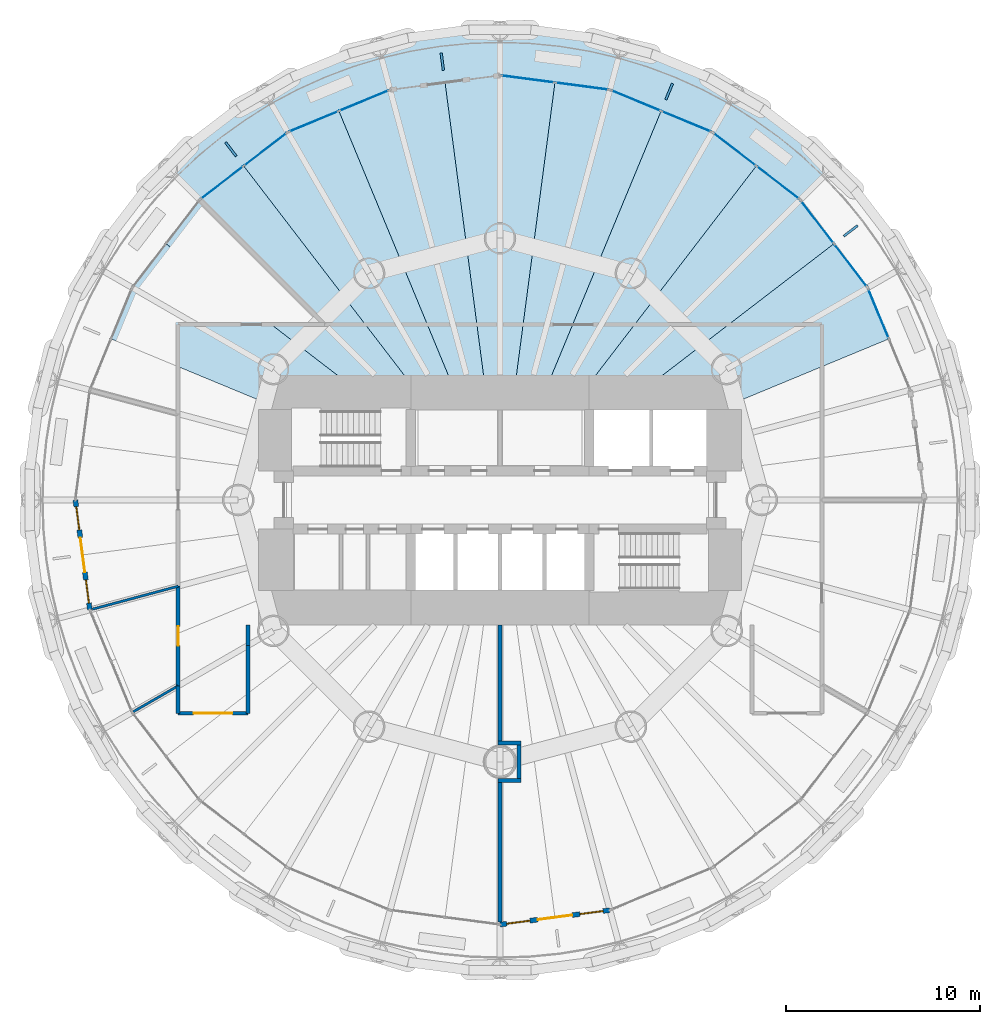
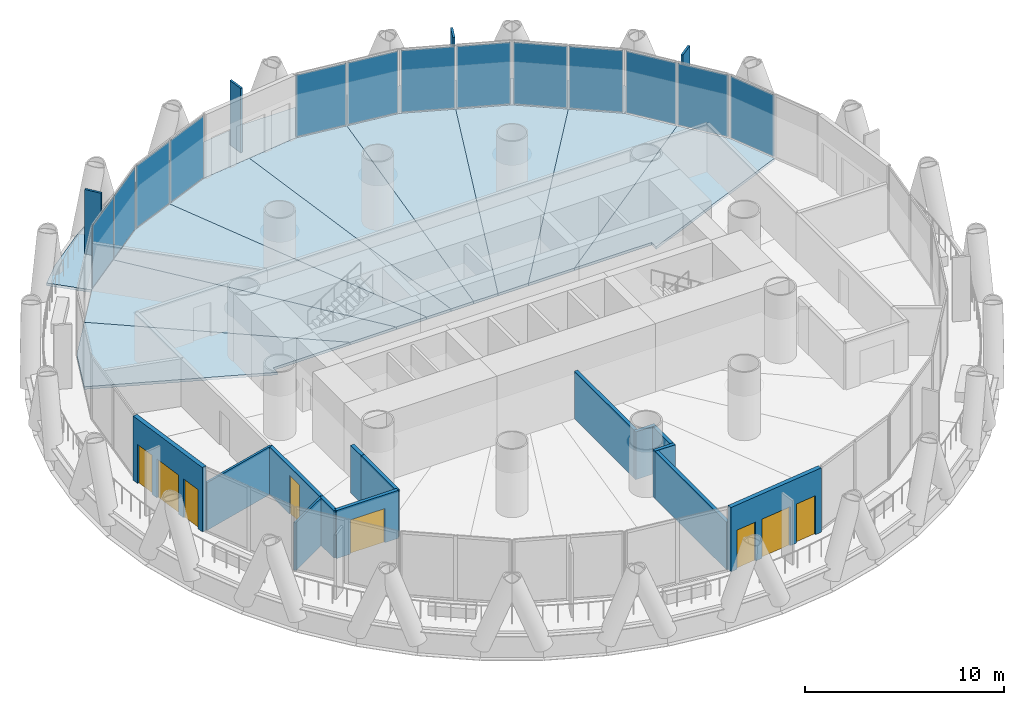
# One storey, part 9 of 15: 17 plates, 14 walls, 10 slabs, 4 doors, 4 windows, 8 openings, 7 elements without a shape of their own.
"""IFC4 building model written with IfcOpenShell, lengths in metres."""

from ifc_helpers import new_model, si_unit, direction, frame, frame_2d, origin, origin_2d, place, context, subcontext, project, spatial, polyline, rectangle, outline, extrude, material, layer, layer_set, type_object, element, fill, aggregate, save


model = new_model("IFC4")

# Units and contexts
model_context = context("Model", 3, precision=1e-05, world=origin(), true_north=direction((0.0, 1.0)))
body_context = subcontext(model_context, "Body", "Model", "MODEL_VIEW")
ifc_project = project(units=[si_unit("LENGTHUNIT", "METRE"), si_unit("AREAUNIT", "SQUARE_METRE"), si_unit("VOLUMEUNIT", "CUBIC_METRE"), si_unit("PLANEANGLEUNIT", "RADIAN"), si_unit("MASSUNIT", "GRAM", prefix="KILO")], contexts=[model_context])

# Site, building, storey
site_placement = place(None, origin())
site = spatial("IfcSite", under=ifc_project, at=site_placement, CompositionType="ELEMENT")
building_placement = place(site_placement, origin())
building = spatial("IfcBuilding", under=site, at=building_placement, Name="Qaws Media Tower", CompositionType="ELEMENT")
storey_placement = place(building_placement, frame((0.0, 0.0, 189.800048828125)))
storey = spatial("IfcBuildingStorey", under=building, at=storey_placement, Name="L43", CompositionType="ELEMENT", Elevation=189.800048828125)

# Slabs
ifc_material_1 = material(Name="Concrete C35/45", Category="concrete")
ifc_layer_1 = layer(ifc_material_1, 0.159912109375)
ifc_layer_set_1 = layer_set([ifc_layer_1], Name="Composite balcony slab 160")
slab_type_1 = type_object("IfcSlabType", Name="Composite balcony slab 160", PredefinedType="FLOOR", material=ifc_layer_set_1)
slab_1_placement = place(storey_placement, frame((0.0, 0.0, -0.16015625)))
element("IfcSlab", 1, at=slab_1_placement, inside=storey, type_object=slab_type_1, Name="S2 balcony slab L43 R04 to R10, movement joints on R04 and R10", PredefinedType="FLOOR", context=body_context, shape_type="SweptSolid", body=[
    extrude(outline(polyline([(43.977783203125, 68.269775390625), (46.49951171875, 70.20458984375), (49.25244140625, 71.7939453125), (52.18896484375, 73.010498046875), (55.25927734375, 73.8330078125), (58.41064453125, 74.248046875), (61.58935546875, 74.248046875), (64.74072265625, 73.8330078125), (67.81103515625, 73.010498046875), (70.74755859375, 71.7939453125), (73.50048828125, 70.20458984375), (76.022216796875, 68.269775390625), (77.14599609375, 67.14599609375), (75.485595703125, 65.485595703125), (70.949951171875, 68.966064453125), (65.668212890625, 71.15380859375), (60.0, 71.89990234375), (54.331787109375, 71.15380859375), (49.050048828125, 68.966064453125), (44.514404296875, 65.485595703125), (42.85400390625, 67.14599609375), (43.977783203125, 68.269775390625)])), origin(), (0.0, 0.0, 1.0), 0.16015625),
])
ifc_material_2 = material(Name="Concrete C35/45", Category="concrete")
ifc_layer_2 = layer(ifc_material_2, 0.159912109375)
ifc_layer_set_2 = layer_set([ifc_layer_2], Name="Composite floor slab 160")
slab_type_2 = type_object("IfcSlabType", Name="Composite floor slab 160", PredefinedType="FLOOR", material=ifc_layer_set_2)
slab_2_placement = place(storey_placement, frame((0.0, 0.0, -0.16015625)))
element("IfcSlab", 2, at=slab_2_placement, inside=storey, type_object=slab_type_2, Name="S1 floor panel L43 on R03", PredefinedType="FLOOR", context=body_context, shape_type="SweptSolid", body=[
    extrude(outline(polyline([(78.966064453125, 60.949951171875), (80.059814453125, 58.30908203125), (71.0, 54.556396484375), (71.0, 55.0), (66.51611328125, 55.0), (77.225830078125, 63.2177734375), (78.966064453125, 60.949951171875)])), origin(), (0.0, 0.0, 1.0), 0.16015625),
])
slab_3_placement = place(storey_placement, frame((0.0, 0.0, -0.16015625)))
element("IfcSlab", 3, at=slab_3_placement, inside=storey, type_object=slab_type_2, Name="S1 floor panel L43 on R04", PredefinedType="FLOOR", context=body_context, shape_type="SweptSolid", body=[
    extrude(outline(polyline([(75.485595703125, 65.485595703125), (77.225830078125, 63.2177734375), (66.51611328125, 55.0), (63.836669921875, 55.0), (73.2177734375, 67.225830078125), (75.485595703125, 65.485595703125)])), origin(), (0.0, 0.0, 1.0), 0.16015625),
])
slab_4_placement = place(storey_placement, frame((0.0, 0.0, -0.16015625)))
element("IfcSlab", 4, at=slab_4_placement, inside=storey, type_object=slab_type_2, Name="S1 floor panel L43 on R05", PredefinedType="FLOOR", context=body_context, shape_type="SweptSolid", body=[
    extrude(outline(polyline([(70.949951171875, 68.966064453125), (73.2177734375, 67.225830078125), (63.836669921875, 55.0), (62.071044921875, 55.0), (68.30908203125, 70.059814453125), (70.949951171875, 68.966064453125)])), origin(), (0.0, 0.0, 1.0), 0.16015625),
])
slab_5_placement = place(storey_placement, frame((0.0, 0.0, -0.16015625)))
element("IfcSlab", 5, at=slab_5_placement, inside=storey, type_object=slab_type_2, Name="S1 floor panel L43 on R06", PredefinedType="FLOOR", context=body_context, shape_type="SweptSolid", body=[
    extrude(outline(polyline([(65.668212890625, 71.15380859375), (68.30908203125, 70.059814453125), (62.071044921875, 55.0), (60.658203125, 55.0), (62.833984375, 71.52685546875), (65.668212890625, 71.15380859375)])), origin(), (0.0, 0.0, 1.0), 0.16015625),
])
slab_6_placement = place(storey_placement, frame((0.0, 0.0, -0.16015625)))
element("IfcSlab", 6, at=slab_6_placement, inside=storey, type_object=slab_type_2, Name="S1 floor panel L43 on R07", PredefinedType="FLOOR", context=body_context, shape_type="SweptSolid", body=[
    extrude(outline(polyline([(60.0, 71.89990234375), (62.833984375, 71.52685546875), (60.658203125, 55.0), (59.341796875, 55.0), (57.166015625, 71.52685546875), (60.0, 71.89990234375)])), origin(), (0.0, 0.0, 1.0), 0.16015625),
])
slab_7_placement = place(storey_placement, frame((0.0, 0.0, -0.16015625)))
element("IfcSlab", 7, at=slab_7_placement, inside=storey, type_object=slab_type_2, Name="S1 floor panel L43 on R08", PredefinedType="FLOOR", context=body_context, shape_type="SweptSolid", body=[
    extrude(outline(polyline([(54.331787109375, 71.15380859375), (57.166015625, 71.52685546875), (59.341796875, 55.0), (57.928955078125, 55.0), (51.69091796875, 70.059814453125), (54.331787109375, 71.15380859375)])), origin(), (0.0, 0.0, 1.0), 0.16015625),
])
slab_8_placement = place(storey_placement, frame((0.0, 0.0, -0.16015625)))
element("IfcSlab", 8, at=slab_8_placement, inside=storey, type_object=slab_type_2, Name="S1 floor panel L43 on R09", PredefinedType="FLOOR", context=body_context, shape_type="SweptSolid", body=[
    extrude(outline(polyline([(49.050048828125, 68.966064453125), (51.69091796875, 70.059814453125), (57.928955078125, 55.0), (56.163330078125, 55.0), (46.7822265625, 67.225830078125), (49.050048828125, 68.966064453125)])), origin(), (0.0, 0.0, 1.0), 0.16015625),
])
slab_9_placement = place(storey_placement, frame((0.0, 0.0, -0.16015625)))
element("IfcSlab", 9, at=slab_9_placement, inside=storey, type_object=slab_type_2, Name="S1 floor panel L43 on R10", PredefinedType="FLOOR", context=body_context, shape_type="SweptSolid", body=[
    extrude(outline(polyline([(44.514404296875, 65.485595703125), (46.7822265625, 67.225830078125), (56.163330078125, 55.0), (53.48388671875, 55.0), (42.774169921875, 63.2177734375), (44.514404296875, 65.485595703125)])), origin(), (0.0, 0.0, 1.0), 0.16015625),
])
slab_10_placement = place(storey_placement, frame((0.0, 0.0, -0.16015625)))
element("IfcSlab", 10, at=slab_10_placement, inside=storey, type_object=slab_type_2, Name="S1 floor panel L43 on R11", PredefinedType="FLOOR", context=body_context, shape_type="SweptSolid", body=[
    extrude(outline(polyline([(41.033935546875, 60.949951171875), (42.774169921875, 63.2177734375), (53.48388671875, 55.0), (49.0, 55.0), (49.0, 54.556396484375), (39.940185546875, 58.30908203125), (41.033935546875, 60.949951171875)])), origin(), (0.0, 0.0, 1.0), 0.16015625),
])

# Curtain wall, plate
ifc_material_3 = material(Name="Aluminium and clear glass", Category="aluminium")
curtain_wall_type = type_object("IfcCurtainWallType", Name="Unitised curtain wall CW-B", PredefinedType="NOTDEFINED", material=ifc_material_3)
curtain_wall_1_placement = place(storey_placement, origin())
curtain_wall_1 = element("IfcCurtainWall", 11, at=curtain_wall_1_placement, inside=storey, type_object=curtain_wall_type, Name="CWB curtain wall L43-02", PredefinedType="NOTDEFINED")
ifc_material_4 = material(Name="Clear laminated double glazing", Category="glass")
ifc_layer_3 = layer(ifc_material_4, 0.031982421875)
ifc_layer_set_3 = layer_set([ifc_layer_3], Name="Curtain wall glass unit 32")
plate_type_1 = type_object("IfcPlateType", Name="Curtain wall glass unit 32", PredefinedType="CURTAIN_PANEL", material=ifc_layer_set_3)
plate_1_placement = place(storey_placement, frame((79.5205078125, 59.611083984375, 0.079833984375), z_axis=(0.0, 0.0, 1.0), x_axis=(-0.382683538482, 0.923879488556, 0.0)))
plate_1 = element("IfcPlate", 12, at=plate_1_placement, type_object=plate_type_1, Name="CWB panel 2.1", PredefinedType="CURTAIN_PANEL", context=body_context, shape_type="SweptSolid", body=[
    extrude(rectangle(XDim=2.738525390625, YDim=0.031982421875, at=origin_2d()), origin(), (0.0, 0.0, 1.0), 3.7900390625),
])
aggregate(curtain_wall_1, [plate_1])

# Curtain wall, plates
curtain_wall_2_placement = place(storey_placement, origin())
curtain_wall_2 = element("IfcCurtainWall", 13, at=curtain_wall_2_placement, inside=storey, type_object=curtain_wall_type, Name="CWB curtain wall L43-03", PredefinedType="NOTDEFINED")
plate_2_placement = place(storey_placement, frame((78.083740234375, 62.099853515625, 0.079833984375), z_axis=(0.0, 0.0, 1.0), x_axis=(-0.608761295527, 0.793353442715, 0.0)))
plate_2 = element("IfcPlate", 14, at=plate_2_placement, type_object=plate_type_1, Name="CWB panel 1.1", PredefinedType="CURTAIN_PANEL", context=body_context, shape_type="SweptSolid", body=[
    extrude(rectangle(XDim=2.738525390625, YDim=0.031982421875, at=origin_2d()), origin(), (0.0, 0.0, 1.0), 3.7900390625),
])
plate_3_placement = place(storey_placement, frame((76.367919921875, 64.3359375, 0.079833984375), z_axis=(0.0, 0.0, 1.0), x_axis=(-0.608761295527, 0.793353442715, 0.0)))
plate_3 = element("IfcPlate", 15, at=plate_3_placement, type_object=plate_type_1, Name="CWB panel 2.1", PredefinedType="CURTAIN_PANEL", context=body_context, shape_type="SweptSolid", body=[
    extrude(rectangle(XDim=2.738525390625, YDim=0.031982421875, at=origin_2d()), origin(), (0.0, 0.0, 1.0), 3.7900390625),
])
aggregate(curtain_wall_2, [plate_2, plate_3])

curtain_wall_3_placement = place(storey_placement, origin())
curtain_wall_3 = element("IfcCurtainWall", 16, at=curtain_wall_3_placement, inside=storey, type_object=curtain_wall_type, Name="CWB curtain wall L43-04", PredefinedType="NOTDEFINED")
plate_4_placement = place(storey_placement, frame((74.3359375, 66.367919921875, 0.079833984375), z_axis=(0.0, 0.0, 1.0), x_axis=(-0.793353442715, 0.608761295527, 0.0)))
plate_4 = element("IfcPlate", 17, at=plate_4_placement, type_object=plate_type_1, Name="CWB panel 1.1", PredefinedType="CURTAIN_PANEL", context=body_context, shape_type="SweptSolid", body=[
    extrude(rectangle(XDim=2.738525390625, YDim=0.031982421875, at=origin_2d()), origin(), (0.0, 0.0, 1.0), 3.7900390625),
])
plate_5_placement = place(storey_placement, frame((72.099853515625, 68.083740234375, 0.079833984375), z_axis=(0.0, 0.0, 1.0), x_axis=(-0.793353442715, 0.608761295527, 0.0)))
plate_5 = element("IfcPlate", 18, at=plate_5_placement, type_object=plate_type_1, Name="CWB panel 2.1", PredefinedType="CURTAIN_PANEL", context=body_context, shape_type="SweptSolid", body=[
    extrude(rectangle(XDim=2.738525390625, YDim=0.031982421875, at=origin_2d()), origin(), (0.0, 0.0, 1.0), 3.7900390625),
])
aggregate(curtain_wall_3, [plate_4, plate_5])

curtain_wall_4_placement = place(storey_placement, origin())
curtain_wall_4 = element("IfcCurtainWall", 19, at=curtain_wall_4_placement, inside=storey, type_object=curtain_wall_type, Name="CWB curtain wall L43-05", PredefinedType="NOTDEFINED")
plate_6_placement = place(storey_placement, frame((69.611083984375, 69.5205078125, 0.079833984375), z_axis=(0.0, 0.0, 1.0), x_axis=(-0.923879488556, 0.382683538482, 0.0)))
plate_6 = element("IfcPlate", 20, at=plate_6_placement, type_object=plate_type_1, Name="CWB panel 1.1", PredefinedType="CURTAIN_PANEL", context=body_context, shape_type="SweptSolid", body=[
    extrude(rectangle(XDim=2.738525390625, YDim=0.031982421875, at=origin_2d()), origin(), (0.0, 0.0, 1.0), 3.7900390625),
])
plate_7_placement = place(storey_placement, frame((67.007080078125, 70.59912109375, 0.079833984375), z_axis=(0.0, 0.0, 1.0), x_axis=(-0.923879488556, 0.382683538482, 0.0)))
plate_7 = element("IfcPlate", 21, at=plate_7_placement, type_object=plate_type_1, Name="CWB panel 2.1", PredefinedType="CURTAIN_PANEL", context=body_context, shape_type="SweptSolid", body=[
    extrude(rectangle(XDim=2.738525390625, YDim=0.031982421875, at=origin_2d()), origin(), (0.0, 0.0, 1.0), 3.7900390625),
])
aggregate(curtain_wall_4, [plate_6, plate_7])

curtain_wall_5_placement = place(storey_placement, origin())
curtain_wall_5 = element("IfcCurtainWall", 22, at=curtain_wall_5_placement, inside=storey, type_object=curtain_wall_type, Name="CWB curtain wall L43-06", PredefinedType="NOTDEFINED")
plate_8_placement = place(storey_placement, frame((64.231201171875, 71.343017578125, 0.079833984375), z_axis=(0.0, 0.0, 1.0), x_axis=(-0.991444870263, 0.1305261247, 0.0)))
plate_8 = element("IfcPlate", 23, at=plate_8_placement, type_object=plate_type_1, Name="CWB panel 1.1", PredefinedType="CURTAIN_PANEL", context=body_context, shape_type="SweptSolid", body=[
    extrude(rectangle(XDim=2.738525390625, YDim=0.031982421875, at=origin_2d()), origin(), (0.0, 0.0, 1.0), 3.7900390625),
])
plate_9_placement = place(storey_placement, frame((61.436767578125, 71.7109375, 0.079833984375), z_axis=(0.0, 0.0, 1.0), x_axis=(-0.991444870263, 0.1305261247, 0.0)))
plate_9 = element("IfcPlate", 24, at=plate_9_placement, type_object=plate_type_1, Name="CWB panel 2.1", PredefinedType="CURTAIN_PANEL", context=body_context, shape_type="SweptSolid", body=[
    extrude(rectangle(XDim=2.738525390625, YDim=0.031982421875, at=origin_2d()), origin(), (0.0, 0.0, 1.0), 3.7900390625),
])
aggregate(curtain_wall_5, [plate_8, plate_9])

curtain_wall_6_placement = place(storey_placement, origin())
curtain_wall_6 = element("IfcCurtainWall", 25, at=curtain_wall_6_placement, inside=storey, type_object=curtain_wall_type, Name="CWB curtain wall L43-08", PredefinedType="NOTDEFINED")
plate_10_placement = place(storey_placement, frame((52.992919921875, 70.59912109375, 0.079833984375), z_axis=(0.0, 0.0, 1.0), x_axis=(-0.923879488556, -0.382683538482, 0.0)))
plate_10 = element("IfcPlate", 26, at=plate_10_placement, type_object=plate_type_1, Name="CWB panel 1.1", PredefinedType="CURTAIN_PANEL", context=body_context, shape_type="SweptSolid", body=[
    extrude(rectangle(XDim=2.738525390625, YDim=0.031982421875, at=origin_2d()), origin(), (0.0, 0.0, 1.0), 3.7900390625),
])
plate_11_placement = place(storey_placement, frame((50.388916015625, 69.5205078125, 0.079833984375), z_axis=(0.0, 0.0, 1.0), x_axis=(-0.923879488556, -0.382683538482, 0.0)))
plate_11 = element("IfcPlate", 27, at=plate_11_placement, type_object=plate_type_1, Name="CWB panel 2.1", PredefinedType="CURTAIN_PANEL", context=body_context, shape_type="SweptSolid", body=[
    extrude(rectangle(XDim=2.738525390625, YDim=0.031982421875, at=origin_2d()), origin(), (0.0, 0.0, 1.0), 3.7900390625),
])
aggregate(curtain_wall_6, [plate_10, plate_11])

curtain_wall_7_placement = place(storey_placement, origin())
curtain_wall_7 = element("IfcCurtainWall", 28, at=curtain_wall_7_placement, inside=storey, type_object=curtain_wall_type, Name="CWB curtain wall L43-09", PredefinedType="NOTDEFINED")
plate_12_placement = place(storey_placement, frame((47.900146484375, 68.083740234375, 0.079833984375), z_axis=(0.0, 0.0, 1.0), x_axis=(-0.793353442715, -0.608761295527, 0.0)))
plate_12 = element("IfcPlate", 29, at=plate_12_placement, type_object=plate_type_1, Name="CWB panel 1.1", PredefinedType="CURTAIN_PANEL", context=body_context, shape_type="SweptSolid", body=[
    extrude(rectangle(XDim=2.738525390625, YDim=0.031982421875, at=origin_2d()), origin(), (0.0, 0.0, 1.0), 3.7900390625),
])
plate_13_placement = place(storey_placement, frame((45.6640625, 66.367919921875, 0.079833984375), z_axis=(0.0, 0.0, 1.0), x_axis=(-0.793353442715, -0.608761295527, 0.0)))
plate_13 = element("IfcPlate", 30, at=plate_13_placement, type_object=plate_type_1, Name="CWB panel 2.1", PredefinedType="CURTAIN_PANEL", context=body_context, shape_type="SweptSolid", body=[
    extrude(rectangle(XDim=2.738525390625, YDim=0.031982421875, at=origin_2d()), origin(), (0.0, 0.0, 1.0), 3.7900390625),
])
aggregate(curtain_wall_7, [plate_12, plate_13])

# Plates
ifc_material_5 = material(Name="Precast concrete screen fin", Category="concrete")
ifc_layer_4 = layer(ifc_material_5, 0.1201171875)
ifc_layer_set_4 = layer_set([ifc_layer_4], Name="Screen fin 120x900")
plate_type_2 = type_object("IfcPlateType", Name="Screen fin 120x900", PredefinedType="USERDEFINED", material=ifc_layer_set_4)
for number, where, z_axis, x_axis, name in (
    (31, (78.08837890625, 63.879638671875, 0.0), (0.0, 0.0, 1.0), (0.793353340291, 0.608761429009, 0.0), "SCR1 screen fin L43-02"),
    (32, (68.72509765625, 71.064453125, 0.0), (0.0, 0.0, 1.0), (0.382683432365, 0.923879532511, 0.0), "SCR1 screen fin L43-03"),
    (33, (57.02392578125, 72.60498046875, 0.0), (0.0, 0.0, 1.0), (-0.13052619222, 0.991444861374, 0.0), "SCR1 screen fin L43-04"),
    (34, (46.120361328125, 68.08837890625, 0.0), (0.0, 0.0, 1.0), (-0.608761429009, 0.793353340291, 0.0), "SCR1 screen fin L43-05"),
):
    element("IfcPlate", number, at=place(storey_placement, frame(where, z_axis=z_axis, x_axis=x_axis)), inside=storey, type_object=plate_type_2, Name=name, ObjectType="SCREEN", PredefinedType="USERDEFINED", context=body_context, shape_type="SweptSolid", body=[
        extrude(rectangle(XDim=0.89990234375, YDim=0.1201171875, at=origin_2d()), origin(), (0.0, 0.0, 1.0), 3.949951171875),
    ])

# Wall, openings, door, windows
ifc_material_6 = material(Name="Precast concrete, exposed finish", Category="concrete")
ifc_layer_5 = layer(ifc_material_6, 0.25)
ifc_layer_set_5 = layer_set([ifc_layer_5], Name="Balcony door wall 250")
wall_type_1 = type_object("IfcWallType", Name="Balcony door wall 250", PredefinedType="SOLIDWALL", material=ifc_layer_set_5)
wall_1_placement = place(storey_placement, frame((38.10009765625, 50.0, 0.0), z_axis=(0.0, 0.0, 1.0), x_axis=(0.130502012477, -0.991448044397, 0.0)))
wall_1 = element("IfcWall", 35, at=wall_1_placement, inside=storey, type_object=wall_type_1, Name="W227 EW1 balcony door wall L43-13", PredefinedType="SOLIDWALL", context=body_context, shape_type="SweptSolid", body=[
    extrude(rectangle(XDim=5.717041015625, YDim=0.25, at=frame_2d((2.8583984375, 0.0))), origin(), (0.0, 0.0, 1.0), 3.949951171875),
])
opening_1_placement = place(wall_1_placement, frame((1.95849609375, 0.0, 0.0)))
opening_1 = element("IfcOpeningElement", 36, at=opening_1_placement, cuts=wall_1, Name="Opening D7", PredefinedType="OPENING", context=body_context, shape_type="SweptSolid", body=[
    extrude(rectangle(XDim=1.800048828125, YDim=2.39990234375, at=frame_2d((0.89990234375, 1.199951171875))), frame((0.0, 0.135009765625, 0.0), z_axis=(0.0, -1.0, 0.0), x_axis=(1.0, 0.0, 0.0)), (0.0, 0.0, 1.0), 0.27001953125),
])
opening_2_placement = place(wall_1_placement, frame((0.358642578125, 0.0, 0.0)))
opening_2 = element("IfcOpeningElement", 37, at=opening_2_placement, cuts=wall_1, Name="Opening W1", PredefinedType="OPENING", context=body_context, shape_type="SweptSolid", body=[
    extrude(rectangle(XDim=1.199951171875, YDim=2.39990234375, at=frame_2d((0.60009765625, 1.199951171875))), frame((0.0, 0.135009765625, 0.0), z_axis=(0.0, -1.0, 0.0), x_axis=(1.0, 0.0, 0.0)), (0.0, 0.0, 1.0), 0.27001953125),
])
opening_3_placement = place(wall_1_placement, frame((4.158447265625, 0.0, 0.0)))
opening_3 = element("IfcOpeningElement", 38, at=opening_3_placement, cuts=wall_1, Name="Opening W1", PredefinedType="OPENING", context=body_context, shape_type="SweptSolid", body=[
    extrude(rectangle(XDim=1.199951171875, YDim=2.39990234375, at=frame_2d((0.60009765625, 1.199951171875))), frame((0.0, 0.135009765625, 0.0), z_axis=(0.0, -1.0, 0.0), x_axis=(1.0, 0.0, 0.0)), (0.0, 0.0, 1.0), 0.27001953125),
])
ifc_material_7 = material(Name="Aluminium and clear glass", Category="aluminium")
door_type_1 = type_object("IfcDoorType", Name="Balcony door pair 1800", OperationType="DOUBLE_DOOR_SLIDING", PredefinedType="DOOR", material=ifc_material_7)
door_1_placement = place(opening_1_placement, origin())
door_1 = element("IfcDoor", 39, at=door_1_placement, inside=storey, type_object=door_type_1, Name="D7 balcony door L43-13 in wall W227", OperationType="DOUBLE_DOOR_SLIDING", OverallHeight=2.39990234375, OverallWidth=1.800048828125, PredefinedType="DOOR", context=body_context, shape_type="SweptSolid", body=[
    extrude(rectangle(XDim=1.800048828125, YDim=2.39990234375, at=frame_2d((0.89990234375, 1.199951171875))), frame((0.0, 0.02490234375, 0.0), z_axis=(0.0, -1.0, 0.0), x_axis=(1.0, 0.0, 0.0)), (0.0, 0.0, 1.0), 0.050048828125),
])
fill(opening_1, door_1)
ifc_material_8 = material(Name="Aluminium and clear glass", Category="aluminium")
window_type = type_object("IfcWindowType", Name="Balcony side window 1200", PartitioningType="SINGLE_PANEL", PredefinedType="WINDOW", material=ifc_material_8)
window_1_placement = place(opening_2_placement, origin())
window_1 = element("IfcWindow", 40, at=window_1_placement, inside=storey, type_object=window_type, Name="W1 balcony side light L43-13L", OverallHeight=2.39990234375, OverallWidth=1.199951171875, PartitioningType="SINGLE_PANEL", PredefinedType="WINDOW", context=body_context, shape_type="SweptSolid", body=[
    extrude(rectangle(XDim=1.199951171875, YDim=2.39990234375, at=frame_2d((0.60009765625, 1.199951171875))), frame((0.0, 0.030029296875, 0.0), z_axis=(0.0, -1.0, 0.0), x_axis=(1.0, 0.0, 0.0)), (0.0, 0.0, 1.0), 0.06005859375),
])
fill(opening_2, window_1)
window_2_placement = place(opening_3_placement, origin())
window_2 = element("IfcWindow", 41, at=window_2_placement, inside=storey, type_object=window_type, Name="W1 balcony side light L43-13R", OverallHeight=2.39990234375, OverallWidth=1.199951171875, PartitioningType="SINGLE_PANEL", PredefinedType="WINDOW", context=body_context, shape_type="SweptSolid", body=[
    extrude(rectangle(XDim=1.199951171875, YDim=2.39990234375, at=frame_2d((0.60009765625, 1.199951171875))), frame((0.0, 0.030029296875, 0.0), z_axis=(0.0, -1.0, 0.0), x_axis=(1.0, 0.0, 0.0)), (0.0, 0.0, 1.0), 0.06005859375),
])
fill(opening_3, window_2)

wall_2_placement = place(storey_placement, frame((60.0, 28.10009765625, 0.0), z_axis=(0.0, 0.0, 1.0), x_axis=(0.991448044397, 0.130502012477, 0.0)))
wall_2 = element("IfcWall", 42, at=wall_2_placement, inside=storey, type_object=wall_type_1, Name="W228 EW1 balcony door wall L43-19", PredefinedType="SOLIDWALL", context=body_context, shape_type="SweptSolid", body=[
    extrude(rectangle(XDim=5.717041015625, YDim=0.25, at=frame_2d((2.8583984375, 0.0))), origin(), (0.0, 0.0, 1.0), 3.949951171875),
])
opening_4_placement = place(wall_2_placement, frame((1.95849609375, 0.0, 0.0)))
opening_4 = element("IfcOpeningElement", 43, at=opening_4_placement, cuts=wall_2, Name="Opening D7", PredefinedType="OPENING", context=body_context, shape_type="SweptSolid", body=[
    extrude(rectangle(XDim=1.800048828125, YDim=2.39990234375, at=frame_2d((0.89990234375, 1.199951171875))), frame((0.0, 0.135009765625, 0.0), z_axis=(0.0, -1.0, 0.0), x_axis=(1.0, 0.0, 0.0)), (0.0, 0.0, 1.0), 0.27001953125),
])
opening_5_placement = place(wall_2_placement, frame((0.358642578125, 0.0, 0.0)))
opening_5 = element("IfcOpeningElement", 44, at=opening_5_placement, cuts=wall_2, Name="Opening W1", PredefinedType="OPENING", context=body_context, shape_type="SweptSolid", body=[
    extrude(rectangle(XDim=1.199951171875, YDim=2.39990234375, at=frame_2d((0.60009765625, 1.199951171875))), frame((0.0, 0.135009765625, 0.0), z_axis=(0.0, -1.0, 0.0), x_axis=(1.0, 0.0, 0.0)), (0.0, 0.0, 1.0), 0.27001953125),
])
opening_6_placement = place(wall_2_placement, frame((4.158447265625, 0.0, 0.0)))
opening_6 = element("IfcOpeningElement", 45, at=opening_6_placement, cuts=wall_2, Name="Opening W1", PredefinedType="OPENING", context=body_context, shape_type="SweptSolid", body=[
    extrude(rectangle(XDim=1.199951171875, YDim=2.39990234375, at=frame_2d((0.60009765625, 1.199951171875))), frame((0.0, 0.135009765625, 0.0), z_axis=(0.0, -1.0, 0.0), x_axis=(1.0, 0.0, 0.0)), (0.0, 0.0, 1.0), 0.27001953125),
])
door_2_placement = place(opening_4_placement, origin())
door_2 = element("IfcDoor", 46, at=door_2_placement, inside=storey, type_object=door_type_1, Name="D7 balcony door L43-19 in wall W228", OperationType="DOUBLE_DOOR_SLIDING", OverallHeight=2.39990234375, OverallWidth=1.800048828125, PredefinedType="DOOR", context=body_context, shape_type="SweptSolid", body=[
    extrude(rectangle(XDim=1.800048828125, YDim=2.39990234375, at=frame_2d((0.89990234375, 1.199951171875))), frame((0.0, 0.02490234375, 0.0), z_axis=(0.0, -1.0, 0.0), x_axis=(1.0, 0.0, 0.0)), (0.0, 0.0, 1.0), 0.050048828125),
])
fill(opening_4, door_2)
window_3_placement = place(opening_5_placement, origin())
window_3 = element("IfcWindow", 47, at=window_3_placement, inside=storey, type_object=window_type, Name="W1 balcony side light L43-19L", OverallHeight=2.39990234375, OverallWidth=1.199951171875, PartitioningType="SINGLE_PANEL", PredefinedType="WINDOW", context=body_context, shape_type="SweptSolid", body=[
    extrude(rectangle(XDim=1.199951171875, YDim=2.39990234375, at=frame_2d((0.60009765625, 1.199951171875))), frame((0.0, 0.030029296875, 0.0), z_axis=(0.0, -1.0, 0.0), x_axis=(1.0, 0.0, 0.0)), (0.0, 0.0, 1.0), 0.06005859375),
])
fill(opening_5, window_3)
window_4_placement = place(opening_6_placement, origin())
window_4 = element("IfcWindow", 48, at=window_4_placement, inside=storey, type_object=window_type, Name="W1 balcony side light L43-19R", OverallHeight=2.39990234375, OverallWidth=1.199951171875, PartitioningType="SINGLE_PANEL", PredefinedType="WINDOW", context=body_context, shape_type="SweptSolid", body=[
    extrude(rectangle(XDim=1.199951171875, YDim=2.39990234375, at=frame_2d((0.60009765625, 1.199951171875))), frame((0.0, 0.030029296875, 0.0), z_axis=(0.0, -1.0, 0.0), x_axis=(1.0, 0.0, 0.0)), (0.0, 0.0, 1.0), 0.06005859375),
])
fill(opening_6, window_4)

# Walls
ifc_material_9 = material(Name="Two layers gypsum board each side on 75 studs, insulated", Category="gypsum")
ifc_layer_6 = layer(ifc_material_9, 0.125)
ifc_layer_set_6 = layer_set([ifc_layer_6], Name="Meeting room partition 125 Rw 48")
wall_type_2 = type_object("IfcWallType", Name="Meeting room partition 125 Rw 48", PredefinedType="PARTITIONING", material=ifc_layer_set_6)
wall_3_placement = place(storey_placement, frame((43.405517578125, 45.553466796875, 0.0), z_axis=(0.0, 0.0, 1.0), x_axis=(-0.965932586529, -0.258793814226, 0.0)))
element("IfcWall", 49, at=wall_3_placement, inside=storey, type_object=wall_type_2, Name="W591 IW5 partition L43", PredefinedType="PARTITIONING", context=body_context, shape_type="SweptSolid", body=[
    extrude(rectangle(XDim=4.580078125, YDim=0.125, at=frame_2d((2.2900390625, 0.0))), origin(), (0.0, 0.0, 1.0), 2.929931640625),
])
wall_4_placement = place(storey_placement, frame((43.406982421875, 40.419921875, 0.0), z_axis=(0.0, 0.0, 1.0), x_axis=(-0.866059108428, -0.4999416173, 0.0)))
element("IfcWall", 50, at=wall_4_placement, inside=storey, type_object=wall_type_2, Name="W592 IW5 partition L43", PredefinedType="PARTITIONING", context=body_context, shape_type="SweptSolid", body=[
    extrude(rectangle(XDim=2.699951171875, YDim=0.125, at=frame_2d((1.35009765625, 0.0))), origin(), (0.0, 0.0, 1.0), 2.929931640625),
])
ifc_material_10 = material(Name="Gypsum board on galvanised metal studs, acoustic double stud, deflection head", Category="gypsum")
ifc_layer_7 = layer(ifc_material_10, 0.199951171875)
ifc_layer_set_7 = layer_set([ifc_layer_7], Name="Room partition 200")
wall_type_3 = type_object("IfcWallType", Name="Room partition 200", PredefinedType="PARTITIONING", material=ifc_layer_set_7)
wall_5_placement = place(storey_placement, frame((47.0, 43.550048828125, 0.0), z_axis=(0.0, 0.0, 1.0), x_axis=(0.0, -1.0, 0.0)))
element("IfcWall", 51, at=wall_5_placement, inside=storey, type_object=wall_type_3, Name="W1448 IW3 partition L43", PredefinedType="PARTITIONING", context=body_context, shape_type="SweptSolid", body=[
    extrude(rectangle(XDim=1.0556640625, YDim=0.199951171875, at=frame_2d((0.52783203125, 0.0))), origin(), (0.0, 0.0, 1.0), 2.929931640625),
])
wall_6_placement = place(storey_placement, frame((47.0, 42.494384765625, 0.0), z_axis=(0.0, 0.0, 1.0), x_axis=(0.0, -1.0, 0.0)))
element("IfcWall", 52, at=wall_6_placement, inside=storey, type_object=wall_type_3, Name="W1447 IW3 partition L43", PredefinedType="PARTITIONING", context=body_context, shape_type="SweptSolid", body=[
    extrude(rectangle(XDim=3.494384765625, YDim=0.199951171875, at=frame_2d((1.7470703125, 0.0))), origin(), (0.0, 0.0, 1.0), 2.929931640625),
])

# Wall, opening, door
wall_7_placement = place(storey_placement, frame((47.0, 39.0, 0.0), z_axis=(0.0, 0.0, 1.0), x_axis=(-1.0, 0.0, 0.0)))
wall_7 = element("IfcWall", 53, at=wall_7_placement, inside=storey, type_object=wall_type_3, Name="W1446 IW3 partition L43", PredefinedType="PARTITIONING", context=body_context, shape_type="SweptSolid", body=[
    extrude(rectangle(XDim=3.60009765625, YDim=0.199951171875, at=frame_2d((1.800048828125, 0.0))), origin(), (0.0, 0.0, 1.0), 2.949951171875),
])
opening_7_placement = place(wall_7_placement, frame((0.800048828125, 0.0, 0.0)))
opening_7 = element("IfcOpeningElement", 54, at=opening_7_placement, cuts=wall_7, Name="Opening D6", PredefinedType="OPENING", context=body_context, shape_type="SweptSolid", body=[
    extrude(rectangle(XDim=2.0, YDim=2.10009765625, at=frame_2d((1.0, 1.050048828125))), frame((0.0, 0.10986328125, 0.0), z_axis=(0.0, -1.0, 0.0), x_axis=(1.0, 0.0, 0.0)), (0.0, 0.0, 1.0), 0.219970703125),
])
ifc_material_11 = material(Name="Steel, acoustic, fire rated", Category="steel")
door_type_2 = type_object("IfcDoorType", Name="Room door pair 2000", OperationType="DOUBLE_DOOR_DOUBLE_SWING", PredefinedType="DOOR", material=ifc_material_11)
door_3_placement = place(opening_7_placement, origin())
door_3 = element("IfcDoor", 55, at=door_3_placement, inside=storey, type_object=door_type_2, Name="D6 Marketing office door L43 in wall W1446", OperationType="DOUBLE_DOOR_DOUBLE_SWING", OverallHeight=2.10009765625, OverallWidth=2.0, PredefinedType="DOOR", context=body_context, shape_type="SweptSolid", body=[
    extrude(rectangle(XDim=2.0, YDim=2.10009765625, at=frame_2d((1.0, 1.050048828125))), frame((0.0, 0.02490234375, 0.0), z_axis=(0.0, -1.0, 0.0), x_axis=(1.0, 0.0, 0.0)), (0.0, 0.0, 1.0), 0.050048828125),
])
fill(opening_7, door_3)

# Wall
wall_8_placement = place(storey_placement, frame((43.39990234375, 39.0, 0.0), z_axis=(0.0, 0.0, 1.0), x_axis=(0.0, 1.0, 0.0)))
element("IfcWall", 56, at=wall_8_placement, inside=storey, type_object=wall_type_3, Name="W1440 IW3 partition L43", PredefinedType="PARTITIONING", context=body_context, shape_type="SweptSolid", body=[
    extrude(rectangle(XDim=1.416015625, YDim=0.199951171875, at=frame_2d((0.7080078125, 0.0))), origin(), (0.0, 0.0, 1.0), 2.929931640625),
])

# Wall, opening, door
wall_9_placement = place(storey_placement, frame((43.39990234375, 40.416015625, 0.0), z_axis=(0.0, 0.0, 1.0), x_axis=(0.0, 1.0, 0.0)))
wall_9 = element("IfcWall", 57, at=wall_9_placement, inside=storey, type_object=wall_type_3, Name="W1441 IW3 partition L43", PredefinedType="PARTITIONING", context=body_context, shape_type="SweptSolid", body=[
    extrude(rectangle(XDim=5.135986328125, YDim=0.199951171875, at=frame_2d((2.56787109375, 0.0))), origin(), (0.0, 0.0, 1.0), 2.929931640625),
])
opening_8_placement = place(wall_9_placement, frame((2.068115234375, 0.0, 0.0)))
opening_8 = element("IfcOpeningElement", 58, at=opening_8_placement, cuts=wall_9, Name="Opening D13", PredefinedType="OPENING", context=body_context, shape_type="SweptSolid", body=[
    extrude(rectangle(XDim=1.0, YDim=2.39990234375, at=frame_2d((0.5, 1.199951171875))), frame((0.0, 0.10986328125, 0.0), z_axis=(0.0, -1.0, 0.0), x_axis=(1.0, 0.0, 0.0)), (0.0, 0.0, 1.0), 0.219970703125),
])
ifc_material_12 = material(Name="Frameless toughened glass, acoustic seals", Category="glass")
door_type_3 = type_object("IfcDoorType", Name="Glazed meeting room door 1000x2400", OperationType="SINGLE_SWING_LEFT", PredefinedType="DOOR", material=ifc_material_12)
door_4_placement = place(opening_8_placement, origin())
door_4 = element("IfcDoor", 59, at=door_4_placement, inside=storey, type_object=door_type_3, Name="D13 Meeting room door L43 in wall W1441", OperationType="SINGLE_SWING_LEFT", OverallHeight=2.39990234375, OverallWidth=1.0, PredefinedType="DOOR", context=body_context, shape_type="SweptSolid", body=[
    extrude(rectangle(XDim=1.0, YDim=2.39990234375, at=frame_2d((0.5, 1.199951171875))), frame((0.0, 0.02490234375, 0.0), z_axis=(0.0, -1.0, 0.0), x_axis=(1.0, 0.0, 0.0)), (0.0, 0.0, 1.0), 0.050048828125),
])
fill(opening_8, door_4)

# Walls
for number, where, z_axis, x_axis, name in (
    (60, (59.89990234375, 37.472900390625, 0.0), (0.0, 0.0, 1.0), (1.0, 0.0, 0.0), "W1452 IW3 partition return L43"),
    (61, (59.89990234375, 35.527099609375, 0.0), (0.0, 0.0, 1.0), (1.0, 0.0, 0.0), "W1451 IW3 partition return L43"),
):
    element("IfcWall", number, at=place(storey_placement, frame(where, z_axis=z_axis, x_axis=x_axis)), inside=storey, type_object=wall_type_3, Name=name, PredefinedType="PARTITIONING", context=body_context, shape_type="SweptSolid", body=[
        extrude(rectangle(XDim=1.18310546875, YDim=0.199951171875, at=frame_2d((0.591552734375, 0.0))), origin(), (0.0, 0.0, 1.0), 2.929931640625),
    ])
wall_10_placement = place(storey_placement, frame((60.98291015625, 37.373046875, 0.0), z_axis=(0.0, 0.0, 1.0), x_axis=(0.0, -1.0, 0.0)))
element("IfcWall", 62, at=wall_10_placement, inside=storey, type_object=wall_type_3, Name="W1456 IW3 partition return L43", PredefinedType="PARTITIONING", context=body_context, shape_type="SweptSolid", body=[
    extrude(rectangle(XDim=1.74609375, YDim=0.199951171875, at=frame_2d((0.873046875, 0.0))), origin(), (0.0, 0.0, 1.0), 2.929931640625),
])
wall_11_placement = place(storey_placement, frame((60.0, 43.56005859375, 0.0), z_axis=(0.0, 0.0, 1.0), x_axis=(0.0, -1.0, 0.0)))
element("IfcWall", 63, at=wall_11_placement, inside=storey, type_object=wall_type_3, Name="W1454 IW3 partition L43", PredefinedType="PARTITIONING", context=body_context, shape_type="SweptSolid", body=[
    extrude(rectangle(XDim=5.987060546875, YDim=0.199951171875, at=frame_2d((2.99365234375, 0.0))), origin(), (0.0, 0.0, 1.0), 2.929931640625),
])
wall_12_placement = place(storey_placement, frame((60.0, 35.427001953125, 0.0), z_axis=(0.0, 0.0, 1.0), x_axis=(0.0, -1.0, 0.0)))
element("IfcWall", 64, at=wall_12_placement, inside=storey, type_object=wall_type_3, Name="W1453 IW3 partition L43", PredefinedType="PARTITIONING", context=body_context, shape_type="SweptSolid", body=[
    extrude(rectangle(XDim=7.18701171875, YDim=0.199951171875, at=frame_2d((3.593505859375, 0.0))), origin(), (0.0, 0.0, 1.0), 2.929931640625),
])

save(model, "model.ifc")
